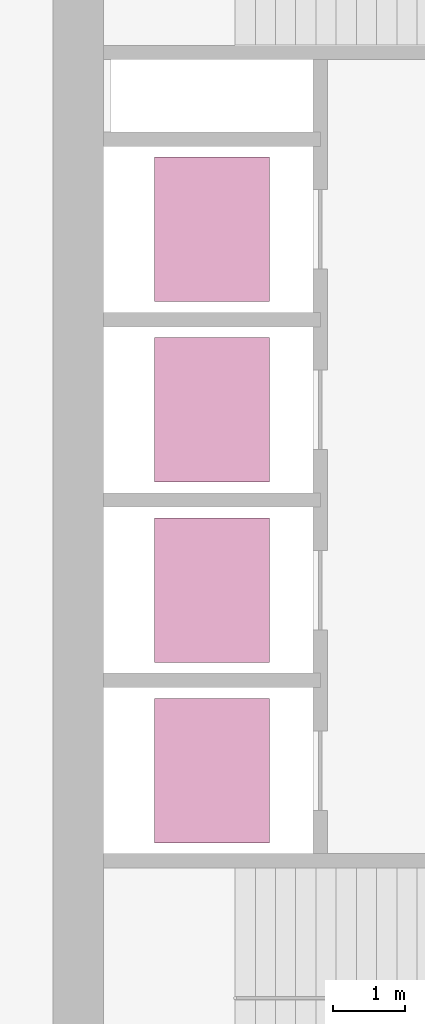
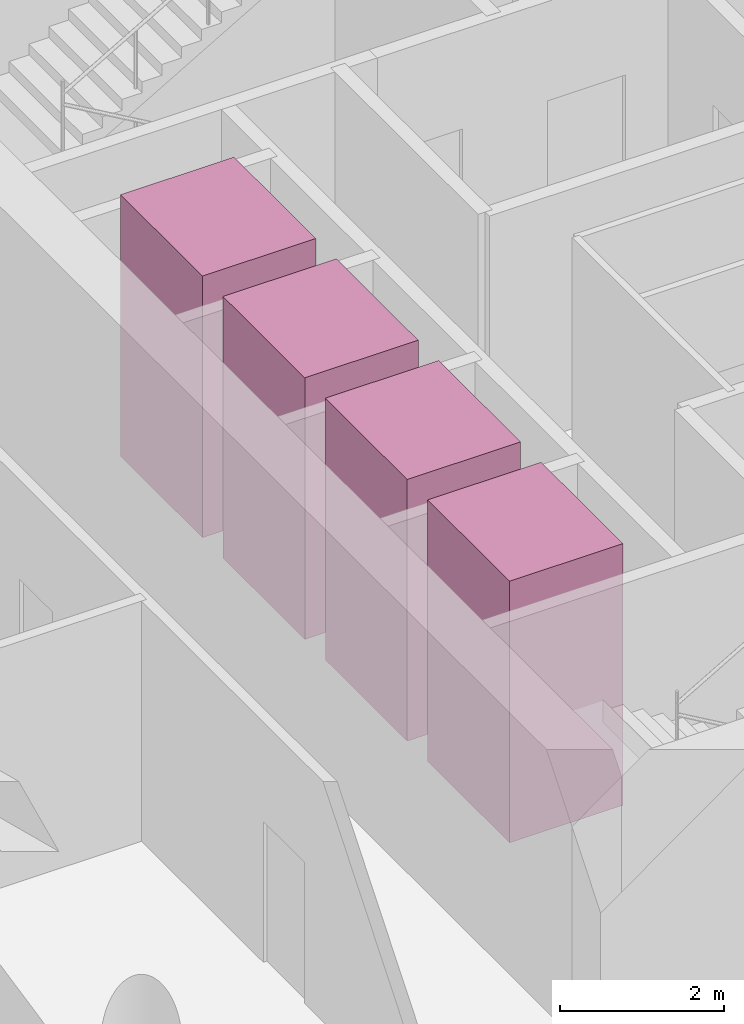
# One storey, part 9 of 9: 4 transport elements.
"""IFC4 building model written with IfcOpenShell, lengths in metres."""

from ifc_helpers import new_model, si_unit, direction, frame, origin, origin_2d, place, context, subcontext, project, spatial, rectangle, extrude, material, type_object, element, save


model = new_model("IFC4")

# Units and contexts
model_context = context("Model", 3, precision=1e-05, world=origin(), true_north=direction((0.0, 1.0)))
body_context = subcontext(model_context, "Body", "Model", "MODEL_VIEW")
ifc_project = project(units=[si_unit("LENGTHUNIT", "METRE"), si_unit("AREAUNIT", "SQUARE_METRE"), si_unit("VOLUMEUNIT", "CUBIC_METRE"), si_unit("PLANEANGLEUNIT", "RADIAN"), si_unit("MASSUNIT", "GRAM", prefix="KILO")], contexts=[model_context])

# Site, building, storey
site_placement = place(None, origin())
site = spatial("IfcSite", under=ifc_project, at=site_placement, CompositionType="ELEMENT")
building_placement = place(site_placement, origin())
building = spatial("IfcBuilding", under=site, at=building_placement, Name="Qaws Garden Tower", CompositionType="ELEMENT")
storey_placement = place(building_placement, frame((0.0, 0.0, 217.5)))
storey = spatial("IfcBuildingStorey", under=building, at=storey_placement, Name="L53", CompositionType="ELEMENT", Elevation=217.5)

# Transport elements
ifc_material = material(Name="Stainless steel 316", Category="steel")
transport_element_type = type_object("IfcTransportElementType", Name="Passenger lift car 2000x1600 1800 kg", PredefinedType="ELEVATOR", material=ifc_material)
for number, where, z_axis, x_axis, name in (
    (1, (10.199951171875, 13.64990234375, 0.0), (0.0, 0.0, 1.0), (1.0, 0.0, 0.0), "MR1"),
    (2, (10.199951171875, 16.14990234375, 0.0), (0.0, 0.0, 1.0), (1.0, 0.0, 0.0), "MR2"),
    (3, (10.199951171875, 18.64990234375, 0.0), (0.0, 0.0, 1.0), (1.0, 0.0, 0.0), "MR3"),
    (4, (10.199951171875, 21.14990234375, 0.0), (0.0, 0.0, 1.0), (1.0, 0.0, 0.0), "MR4"),
):
    element("IfcTransportElement", number, at=place(storey_placement, frame(where, z_axis=z_axis, x_axis=x_axis)), inside=storey, type_object=transport_element_type, Name=name, PredefinedType="ELEVATOR", context=body_context, shape_type="SweptSolid", body=[
        extrude(rectangle(XDim=1.60009765625, YDim=2.0, at=origin_2d()), origin(), (0.0, 0.0, 1.0), 3.89990234375),
    ])

save(model, "model.ifc")
